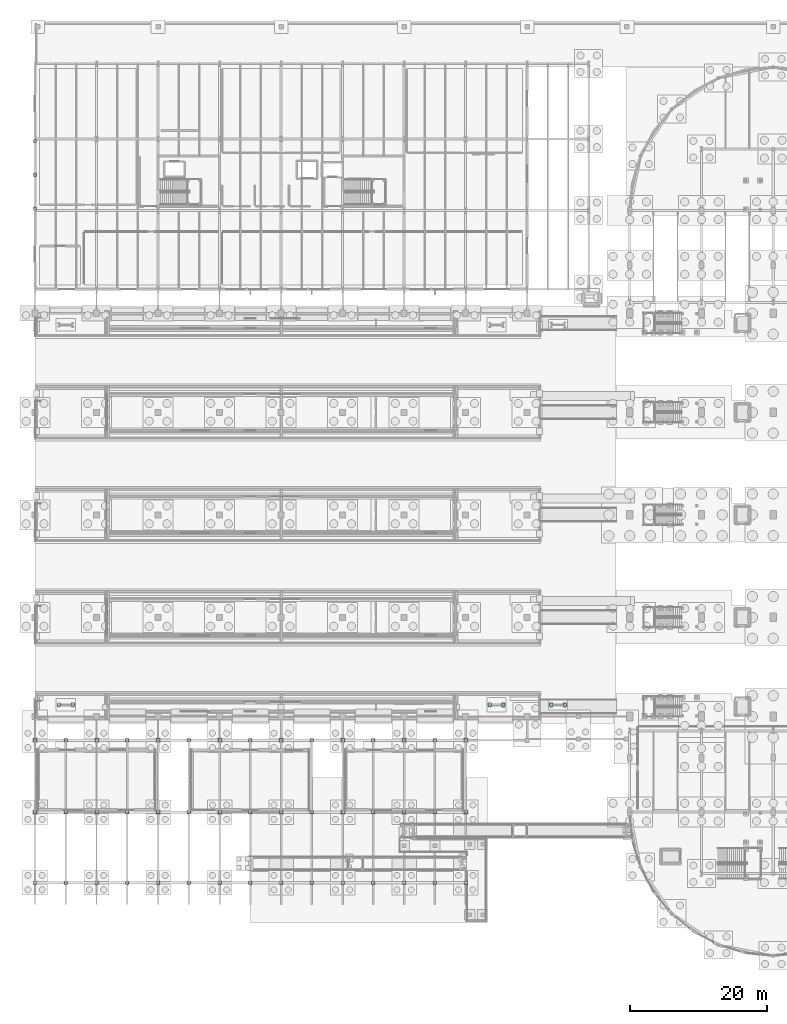
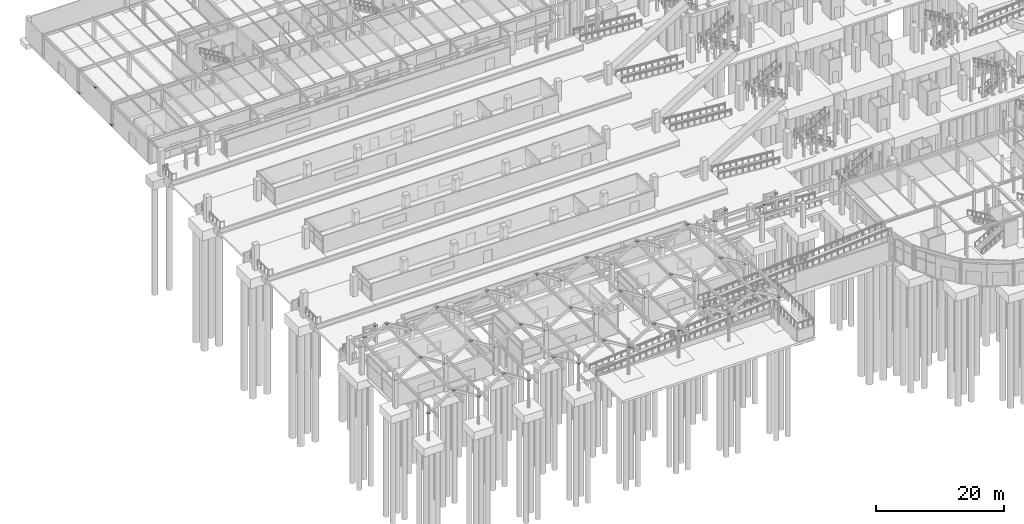
# One storey, part 96 of 160: 54 plates.
"""IFC4 building model written with IfcOpenShell, lengths in metres."""

from ifc_helpers import new_model, si_unit, direction, frame, origin, origin_2d, place, context, subcontext, project, spatial, rectangle, extrude, material, layer, layer_set, type_object, element, save


model = new_model("IFC4")

# Units and contexts
model_context = context("Model", 3, precision=1e-05, world=origin(), true_north=direction((0.0, 1.0)))
body_context = subcontext(model_context, "Body", "Model", "MODEL_VIEW")
ifc_project = project(units=[si_unit("LENGTHUNIT", "METRE"), si_unit("AREAUNIT", "SQUARE_METRE"), si_unit("VOLUMEUNIT", "CUBIC_METRE"), si_unit("PLANEANGLEUNIT", "RADIAN"), si_unit("MASSUNIT", "GRAM", prefix="KILO")], contexts=[model_context])

# Site, building, storey
site_placement = place(None, origin())
site = spatial("IfcSite", under=ifc_project, at=site_placement, CompositionType="ELEMENT")
building_placement = place(site_placement, origin())
building = spatial("IfcBuilding", under=site, at=building_placement, Name="Marlcrest Central Station", CompositionType="ELEMENT")
storey_placement = place(building_placement, origin())
storey = spatial("IfcBuildingStorey", under=building, at=storey_placement, Name="L00", CompositionType="ELEMENT", Elevation=0.0)

# Plates
ifc_material = material(Name="Steel S355", Category="steel")
ifc_layer = layer(ifc_material, 0.02001953125, Name="GP-03")
ifc_layer_set = layer_set([ifc_layer], Name="Steel S355")
plate_type = type_object("IfcPlateType", Name="GP-03", PredefinedType="USERDEFINED", material=ifc_layer_set)
for number, where, z_axis, x_axis, name in (
    (1, (0.0, 110.800048828125, 0.239990234375), (0.0, 0.0, 1.0), (1.0, 0.0, 0.0), "plt-cap-00037"),
    (2, (0.0, 115.75, 4.35009765625), (0.0, 0.0, 1.0), (1.0, 0.0, 0.0), "plt-cap-00038"),
    (3, (0.0, 120.699951171875, 0.239990234375), (0.0, 0.0, 1.0), (1.0, 0.0, 0.0), "plt-cap-00039"),
    (4, (0.0, 12.199951171875, 5.18994140625), (0.0, 0.0, 1.0), (1.0, 0.0, 0.0), "plt-cap-00068"),
    (5, (4.5, 12.199951171875, 7.9599609375), (0.0, 0.0, 1.0), (1.0, 0.0, 0.0), "plt-cap-00069"),
    (6, (9.0, 12.199951171875, 5.18994140625), (0.0, 0.0, 1.0), (1.0, 0.0, 0.0), "plt-cap-00070"),
    (7, (0.0, 22.5, 5.18994140625), (0.0, 0.0, 1.0), (1.0, 0.0, 0.0), "plt-cap-00071"),
    (8, (4.5, 22.5, 7.9599609375), (0.0, 0.0, 1.0), (1.0, 0.0, 0.0), "plt-cap-00072"),
    (9, (9.0, 22.5, 5.18994140625), (0.0, 0.0, 1.0), (1.0, 0.0, 0.0), "plt-cap-00073"),
    (10, (0.0, 33.0, 5.18994140625), (0.0, 0.0, 1.0), (1.0, 0.0, 0.0), "plt-cap-00074"),
    (11, (4.5, 33.0, 7.9599609375), (0.0, 0.0, 1.0), (1.0, 0.0, 0.0), "plt-cap-00075"),
    (12, (9.0, 33.0, 5.18994140625), (0.0, 0.0, 1.0), (1.0, 0.0, 0.0), "plt-cap-00076"),
    (13, (13.5, 12.199951171875, 7.9599609375), (0.0, 0.0, 1.0), (1.0, 0.0, 0.0), "plt-cap-00077"),
    (14, (18.0, 12.199951171875, 5.18994140625), (0.0, 0.0, 1.0), (1.0, 0.0, 0.0), "plt-cap-00078"),
    (15, (13.5, 22.5, 7.9599609375), (0.0, 0.0, 1.0), (1.0, 0.0, 0.0), "plt-cap-00079"),
    (16, (18.0, 22.5, 5.18994140625), (0.0, 0.0, 1.0), (1.0, 0.0, 0.0), "plt-cap-00080"),
    (17, (13.5, 33.0, 7.9599609375), (0.0, 0.0, 1.0), (1.0, 0.0, 0.0), "plt-cap-00081"),
    (18, (18.0, 33.0, 5.18994140625), (0.0, 0.0, 1.0), (1.0, 0.0, 0.0), "plt-cap-00082"),
    (19, (22.5, 12.199951171875, 7.9599609375), (0.0, 0.0, 1.0), (1.0, 0.0, 0.0), "plt-cap-00083"),
    (20, (27.0, 12.199951171875, 5.18994140625), (0.0, 0.0, 1.0), (1.0, 0.0, 0.0), "plt-cap-00084"),
    (21, (22.5, 22.5, 7.9599609375), (0.0, 0.0, 1.0), (1.0, 0.0, 0.0), "plt-cap-00085"),
    (22, (27.0, 22.5, 5.18994140625), (0.0, 0.0, 1.0), (1.0, 0.0, 0.0), "plt-cap-00086"),
    (23, (22.5, 33.0, 7.9599609375), (0.0, 0.0, 1.0), (1.0, 0.0, 0.0), "plt-cap-00087"),
    (24, (27.0, 33.0, 5.18994140625), (0.0, 0.0, 1.0), (1.0, 0.0, 0.0), "plt-cap-00088"),
    (25, (31.5, 12.199951171875, 7.9599609375), (0.0, 0.0, 1.0), (1.0, 0.0, 0.0), "plt-cap-00089"),
    (26, (36.0, 12.199951171875, 5.18994140625), (0.0, 0.0, 1.0), (1.0, 0.0, 0.0), "plt-cap-00090"),
    (27, (31.5, 22.5, 7.9599609375), (0.0, 0.0, 1.0), (1.0, 0.0, 0.0), "plt-cap-00091"),
    (28, (36.0, 22.5, 5.18994140625), (0.0, 0.0, 1.0), (1.0, 0.0, 0.0), "plt-cap-00092"),
    (29, (31.5, 33.0, 7.9599609375), (0.0, 0.0, 1.0), (1.0, 0.0, 0.0), "plt-cap-00093"),
    (30, (36.0, 33.0, 5.18994140625), (0.0, 0.0, 1.0), (1.0, 0.0, 0.0), "plt-cap-00094"),
    (31, (40.5, 12.199951171875, 7.9599609375), (0.0, 0.0, 1.0), (1.0, 0.0, 0.0), "plt-cap-00095"),
    (32, (45.0, 12.199951171875, 5.18994140625), (0.0, 0.0, 1.0), (1.0, 0.0, 0.0), "plt-cap-00096"),
    (33, (40.5, 22.5, 7.9599609375), (0.0, 0.0, 1.0), (1.0, 0.0, 0.0), "plt-cap-00097"),
    (34, (45.0, 22.5, 5.18994140625), (0.0, 0.0, 1.0), (1.0, 0.0, 0.0), "plt-cap-00098"),
    (35, (40.5, 33.0, 7.9599609375), (0.0, 0.0, 1.0), (1.0, 0.0, 0.0), "plt-cap-00099"),
    (36, (45.0, 33.0, 5.18994140625), (0.0, 0.0, 1.0), (1.0, 0.0, 0.0), "plt-cap-00100"),
    (37, (49.5, 12.199951171875, 7.9599609375), (0.0, 0.0, 1.0), (1.0, 0.0, 0.0), "plt-cap-00101"),
    (38, (54.0, 12.199951171875, 5.18994140625), (0.0, 0.0, 1.0), (1.0, 0.0, 0.0), "plt-cap-00102"),
    (39, (49.5, 22.5, 7.9599609375), (0.0, 0.0, 1.0), (1.0, 0.0, 0.0), "plt-cap-00103"),
    (40, (54.0, 22.5, 5.18994140625), (0.0, 0.0, 1.0), (1.0, 0.0, 0.0), "plt-cap-00104"),
    (41, (49.5, 33.0, 7.9599609375), (0.0, 0.0, 1.0), (1.0, 0.0, 0.0), "plt-cap-00105"),
    (42, (54.0, 33.0, 5.18994140625), (0.0, 0.0, 1.0), (1.0, 0.0, 0.0), "plt-cap-00106"),
    (43, (58.5, 12.199951171875, 7.9599609375), (0.0, 0.0, 1.0), (1.0, 0.0, 0.0), "plt-cap-00107"),
    (44, (63.0, 12.199951171875, 5.18994140625), (0.0, 0.0, 1.0), (1.0, 0.0, 0.0), "plt-cap-00108"),
    (45, (58.5, 22.5, 7.9599609375), (0.0, 0.0, 1.0), (1.0, 0.0, 0.0), "plt-cap-00109"),
    (46, (63.0, 22.5, 5.18994140625), (0.0, 0.0, 1.0), (1.0, 0.0, 0.0), "plt-cap-00110"),
    (47, (58.5, 33.0, 7.9599609375), (0.0, 0.0, 1.0), (1.0, 0.0, 0.0), "plt-cap-00111"),
    (48, (63.0, 33.0, 5.18994140625), (0.0, 0.0, 1.0), (1.0, 0.0, 0.0), "plt-cap-00112"),
    (49, (3.5, 38.199951171875, 2.68994140625), (0.0, 0.0, 1.0), (1.0, 0.0, 0.0), "plt-cap-01376"),
    (50, (5.5, 38.199951171875, 4.090087890625), (0.0, 0.0, 1.0), (1.0, 0.0, 0.0), "plt-cap-01377"),
    (51, (66.5, 38.199951171875, 2.68994140625), (0.0, 0.0, 1.0), (1.0, 0.0, 0.0), "plt-cap-01378"),
    (52, (68.5, 38.199951171875, 4.090087890625), (0.0, 0.0, 1.0), (1.0, 0.0, 0.0), "plt-cap-01379"),
    (53, (75.5, 38.199951171875, 2.68994140625), (0.0, 0.0, 1.0), (1.0, 0.0, 0.0), "plt-cap-01380"),
    (54, (77.5, 38.199951171875, 4.090087890625), (0.0, 0.0, 1.0), (1.0, 0.0, 0.0), "plt-cap-01381"),
):
    element("IfcPlate", number, at=place(storey_placement, frame(where, z_axis=z_axis, x_axis=x_axis)), inside=storey, type_object=plate_type, Name=name, ObjectType="GUSSET_PLATE", PredefinedType="USERDEFINED", context=body_context, shape_type="SweptSolid", body=[
        extrude(rectangle(XDim=0.5, YDim=0.5, at=origin_2d()), origin(), (0.0, 0.0, 1.0), 0.02001953125),
    ])

save(model, "model.ifc")
